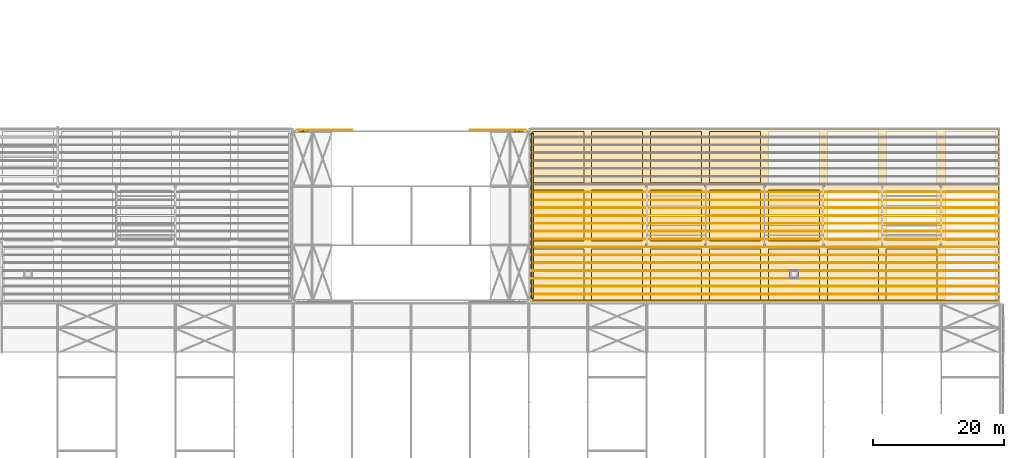
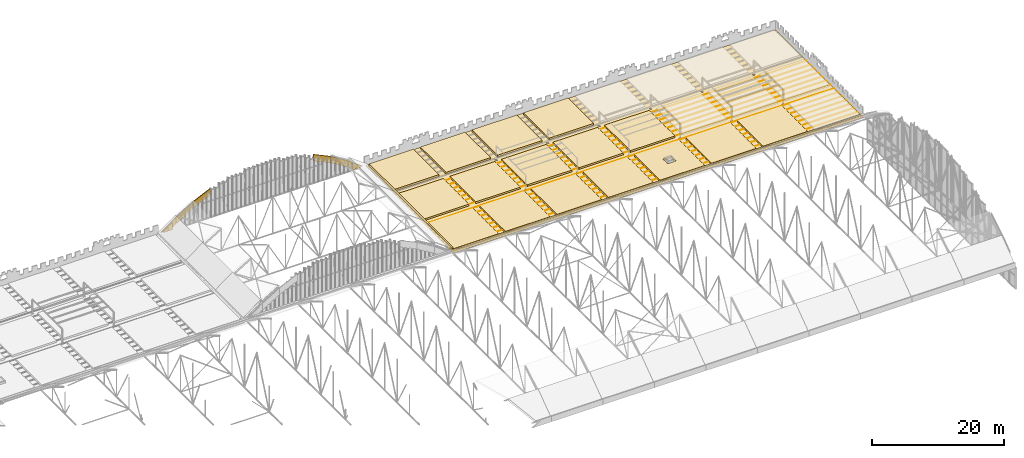
# One storey, part 146 of 153: 46 coverings.
"""IFC4 building model written with IfcOpenShell, lengths in metres."""

import ifcopenshell
import ifcopenshell.guid

model = None  # the IFC model being written
_history = None  # IfcOwnerHistory: only IFC2X3 demands one
_inside = {}  # id of a spatial element -> (the spatial element, [elements in it])
_under = {}  # id of a project, library or spatial element -> (it, [spatial elements below it])
_declared = {}  # id of a project -> (the project, [libraries it declares])
_typed = {}  # id of a type object -> (the type object, [elements of that type])
_made_of = {}  # id of a material, layer set ... -> (it, [elements and type objects made of it])


def new_model(schema):
    """Start an empty IFC model of exactly this schema.

    Asked for "IFC4X3", IfcOpenShell would pick the latest addendum, in which some entities
    have other attributes; the version numbers below select the first issue.
    IFC2X3 requires an IfcOwnerHistory on every rooted entity: one is made here for all.
    """
    global model, _history
    if schema == "IFC4X3":
        model = ifcopenshell.file(schema_version=(4, 3, 0, 0))
    else:
        model = ifcopenshell.file(schema=schema)
    _inside.clear()
    _under.clear()
    _declared.clear()
    _typed.clear()
    _made_of.clear()
    _history = None
    if model.schema == "IFC2X3":
        org = make("IfcOrganization", Name="unknown")
        user = make(
            "IfcPersonAndOrganization",
            ThePerson=make("IfcPerson", FamilyName="unknown"),
            TheOrganization=org,
        )
        app = make(
            "IfcApplication",
            ApplicationDeveloper=org,
            Version="unknown",
            ApplicationFullName="unknown",
            ApplicationIdentifier="unknown",
        )
        _history = make(
            "IfcOwnerHistory",
            OwningUser=user,
            OwningApplication=app,
            ChangeAction="ADDED",
            CreationDate=0,
        )
    return model


def make(cls, **values):
    """One entity of the class cls with the attributes given. An attribute that is None is left unset."""
    return model.create_entity(
        cls, **{name: value for name, value in values.items() if value is not None}
    )


def rooted(cls, **values):
    """An entity with a GlobalId (a new one), such as an element, a storey or a relation."""
    return make(cls, GlobalId=ifcopenshell.guid.new(), OwnerHistory=_history, **values)


def si_unit(unit_type, name, prefix=None):
    """IfcSIUnit, for example si_unit("LENGTHUNIT", "METRE", prefix="MILLI")."""
    return make("IfcSIUnit", UnitType=unit_type, Prefix=prefix, Name=name)


def assignment(units):
    """IfcUnitAssignment: the units of a project."""
    return None if units is None else make("IfcUnitAssignment", Units=units)


def point(xyz):
    """IfcCartesianPoint."""
    return None if xyz is None else make("IfcCartesianPoint", Coordinates=xyz)


def direction(xyz):
    """IfcDirection."""
    return None if xyz is None else make("IfcDirection", DirectionRatios=xyz)


def frame(location, z_axis=None, x_axis=None):
    """IfcAxis2Placement3D, a coordinate frame: its origin and axes. An axis left out is left unset."""
    return make(
        "IfcAxis2Placement3D",
        Location=point(location),
        Axis=direction(z_axis),
        RefDirection=direction(x_axis),
    )


def frame_2d(location, x_axis=None):
    """IfcAxis2Placement2D, a coordinate frame in the plane: its origin and x axis."""
    return make(
        "IfcAxis2Placement2D", Location=point(location), RefDirection=direction(x_axis)
    )


def origin():
    """The frame at (0, 0, 0) with its axes left unset."""
    return frame((0.0, 0.0, 0.0))


def origin_2d():
    """The frame at (0, 0) in the plane with its x axis left unset."""
    return frame_2d((0.0, 0.0))


def place(relative_to, where):
    """IfcLocalPlacement: puts the frame where relative to a parent placement (None: the world)."""
    return make(
        "IfcLocalPlacement", PlacementRelTo=relative_to, RelativePlacement=where
    )


def context(
    kind, dimensions, precision=None, world=None, true_north=None, identifier=None
):
    """IfcGeometricRepresentationContext, for example the 3D "Model" context."""
    return make(
        "IfcGeometricRepresentationContext",
        ContextIdentifier=identifier,
        ContextType=kind,
        CoordinateSpaceDimension=dimensions,
        Precision=precision,
        WorldCoordinateSystem=world,
        TrueNorth=true_north,
    )


def subcontext(parent, identifier, kind, view, scale=None):
    """IfcGeometricRepresentationSubContext, for example "Body" below "Model"."""
    return make(
        "IfcGeometricRepresentationSubContext",
        ContextIdentifier=identifier,
        ContextType=kind,
        ParentContext=parent,
        TargetScale=scale,
        TargetView=view,
    )


def project(units=None, contexts=None):
    """IfcProject with its units and contexts."""
    return rooted(
        "IfcProject",
        Name="project",
        RepresentationContexts=contexts,
        UnitsInContext=assignment(units),
    )


def spatial(cls, under=None, at=None, **own):
    """A site, building, storey or space (cls), placed at a placement, below another one or the project."""
    s = rooted(cls, ObjectPlacement=at, **own)
    if under is not None:
        _under.setdefault(under.id(), (under, []))[1].append(s)
    return s


def polyline(points):
    """IfcPolyline through the points."""
    return make("IfcPolyline", Points=[point(p) for p in points])


def profile(cls, at=None, kind="AREA", **sizes):
    """A parametric profile (cls). Its sizes go by their IFC names, for example OverallWidth=200.0."""
    return make(cls, ProfileType=kind, Position=at, **sizes)


def rectangle(**sizes):
    """IfcRectangleProfileDef."""
    return profile("IfcRectangleProfileDef", **sizes)


def outline(outer, holes=None, kind="AREA"):
    """IfcArbitraryClosedProfileDef: a profile drawn as a closed curve; with holes, ...WithVoids."""
    if holes is None:
        return make("IfcArbitraryClosedProfileDef", ProfileType=kind, OuterCurve=outer)
    return make(
        "IfcArbitraryProfileDefWithVoids",
        ProfileType=kind,
        OuterCurve=outer,
        InnerCurves=holes,
    )


def extrude(swept, where, along, depth):
    """IfcExtrudedAreaSolid: the profile swept, set in the frame where, extruded along a direction by depth."""
    return make(
        "IfcExtrudedAreaSolid",
        SweptArea=swept,
        Position=where,
        ExtrudedDirection=direction(along),
        Depth=depth,
    )


def shape(context_of_items, identifier, shape_type, items):
    """IfcShapeRepresentation: the items that make up one representation, for example the "Body"."""
    return make(
        "IfcShapeRepresentation",
        ContextOfItems=context_of_items,
        RepresentationIdentifier=identifier,
        RepresentationType=shape_type,
        Items=items,
    )


def material(Name=None, Category=None):
    """IfcMaterial."""
    return make("IfcMaterial", Name=Name, Category=Category)


def layer(
    of_material, thickness, ventilated=None, Name=None, Category=None, Priority=None
):
    """IfcMaterialLayer: one layer of a wall or slab, of a material (None: an air gap)."""
    return make(
        "IfcMaterialLayer",
        Material=of_material,
        LayerThickness=thickness,
        IsVentilated=ventilated,
        Name=Name,
        Category=Category,
        Priority=Priority,
    )


def layer_set(layers, Name=None):
    """IfcMaterialLayerSet."""
    return make("IfcMaterialLayerSet", MaterialLayers=layers, LayerSetName=Name)


def made_of(thing, what):
    """Note that an element or type object is made of a material, layer set ...; save() writes the relation."""
    if what is not None:
        _made_of.setdefault(what.id(), (what, []))[1].append(thing)
    return thing


def type_object(cls, material=None, **own):
    """A type object (cls), such as IfcWallType, which elements share."""
    return made_of(rooted(cls, **own), material)


def element(
    cls,
    number,
    at=None,
    inside=None,
    cuts=None,
    type_object=None,
    material=None,
    context=None,
    identifier="Body",
    shape_type=None,
    held_by="IfcProductDefinitionShape",
    body=None,
    shapes=None,
    **own,
):
    """One element of the class cls, such as IfcWall. Its Tag is "e" and its number.

    at: its placement. inside: the storey or other place that contains it. cuts: it is an
    opening in that element (IfcRelVoidsElement). A single representation is given by context,
    identifier, shape_type and body (its items); several are given by shapes. held_by: the class
    of the entity that holds the representations. save() writes the other relations.
    """
    e = rooted(cls, Tag="e%d" % number, ObjectPlacement=at, **own)
    if body is not None:
        shapes = [shape(context, identifier, shape_type, body)]
    if shapes is not None:
        e.Representation = make(held_by, Representations=shapes)
    if inside is not None:
        _inside.setdefault(inside.id(), (inside, []))[1].append(e)
    if cuts is not None:
        rooted(
            "IfcRelVoidsElement", RelatingBuildingElement=cuts, RelatedOpeningElement=e
        )
    if type_object is not None:
        _typed.setdefault(type_object.id(), (type_object, []))[1].append(e)
    return made_of(e, material)


def aggregate(whole, parts):
    """IfcRelAggregates: a whole, such as a stair, and the parts it consists of."""
    return rooted("IfcRelAggregates", RelatingObject=whole, RelatedObjects=parts)


def save(model, path):
    """Write the relations noted so far, then the file.

    IfcRelAggregates (storeys below a building ...), IfcRelContainedInSpatialStructure (elements
    in a storey), IfcRelDefinesByType, IfcRelAssociatesMaterial and IfcRelDeclares: one each for
    every whole, place, type object, material and project.
    """
    for whole, parts in _under.values():
        aggregate(whole, parts)
    for where, things in _inside.values():
        rooted(
            "IfcRelContainedInSpatialStructure",
            RelatedElements=things,
            RelatingStructure=where,
        )
    for kind, things in _typed.values():
        rooted("IfcRelDefinesByType", RelatedObjects=things, RelatingType=kind)
    for what, things in _made_of.values():
        rooted("IfcRelAssociatesMaterial", RelatedObjects=things, RelatingMaterial=what)
    for by, libraries in _declared.values():
        rooted("IfcRelDeclares", RelatingContext=by, RelatedDefinitions=libraries)
    model.write(path)


model = new_model("IFC4")

# Units and contexts
model_context = context("Model", 3, precision=1e-05, world=origin(), true_north=direction((0.0, 1.0)))
body_context = subcontext(model_context, "Body", "Model", "MODEL_VIEW")
ifc_project = project(units=[si_unit("LENGTHUNIT", "METRE"), si_unit("AREAUNIT", "SQUARE_METRE"), si_unit("VOLUMEUNIT", "CUBIC_METRE"), si_unit("PLANEANGLEUNIT", "RADIAN"), si_unit("MASSUNIT", "GRAM", prefix="KILO")], contexts=[model_context])

# Site, building, storey
site_placement = place(None, origin())
site = spatial("IfcSite", under=ifc_project, at=site_placement, CompositionType="ELEMENT")
building_placement = place(site_placement, origin())
building = spatial("IfcBuilding", under=site, at=building_placement, Name="Baradari Gate Terminus", CompositionType="ELEMENT")
storey_placement = place(building_placement, frame((0.0, 0.0, 11.699951171875)))
storey = spatial("IfcBuildingStorey", under=building, at=storey_placement, Name="L02", CompositionType="ELEMENT", Elevation=11.699951171875)

# Coverings
ifc_material_1 = material(Name="Galvanised steel", Category="steel")
ifc_layer_1 = layer(ifc_material_1, 0.0029296875)
ifc_layer_set_1 = layer_set([ifc_layer_1], Name="Galvanised steel")
covering_type_1 = type_object("IfcCoveringType", Name="Eaves gutter GT-1", PredefinedType="USERDEFINED", material=ifc_layer_set_1)
covering_1_placement = place(storey_placement, frame((171.518798828125, 94.47509765625, 0.080078125), z_axis=(0.0, 0.0, 1.0), x_axis=(1.0, 0.0, 0.0)))
element("IfcCovering", 1, at=covering_1_placement, inside=storey, type_object=covering_type_1, Name="Eaves gutter E", ObjectType="GUTTER", PredefinedType="USERDEFINED", context=body_context, shape_type="SweptSolid", body=[
    extrude(rectangle(XDim=0.300048828125, YDim=25.25, at=origin_2d()), origin(), (0.0, 0.0, 1.0), 0.27001953125),
])
covering_2_placement = place(storey_placement, frame((207.2841796875, 81.449951171875, 0.030029296875), z_axis=(0.0, 0.0, 1.0), x_axis=(1.0, 0.0, 0.0)))
element("IfcCovering", 2, at=covering_2_placement, inside=storey, type_object=covering_type_1, Name="Eaves gutter SE", ObjectType="GUTTER", PredefinedType="USERDEFINED", context=body_context, shape_type="SweptSolid", body=[
    extrude(rectangle(XDim=70.63134765625, YDim=0.25, at=origin_2d()), origin(), (0.0, 0.0, 1.0), 0.27001953125),
])
ifc_material_2 = material(Name="Sandstone", Category="masonry")
ifc_layer_2 = layer(ifc_material_2, 0.14990234375)
ifc_layer_set_2 = layer_set([ifc_layer_2], Name="Sandstone")
covering_type_2 = type_object("IfcCoveringType", Name="Hall gable arch band", PredefinedType="CLADDING", material=ifc_layer_set_2)
covering_3_placement = place(storey_placement, frame((135.0, 107.5625, 0.234619140625), z_axis=(0.0, 0.0, 1.0), x_axis=(1.0, 0.0, 0.0)))
element("IfcCovering", 3, at=covering_3_placement, inside=storey, type_object=covering_type_2, Name="Hall gable arch band N1", PredefinedType="CLADDING", context=body_context, shape_type="SweptSolid", body=[
    extrude(outline(polyline([(0.389892578125, 0.0), (2.017333984375, 0.0), (3.0, 0.724609375), (3.0, 1.924560546875), (0.389892578125, 0.0)])), frame((0.0, 0.074951171875, 0.0), z_axis=(0.0, -1.0, 0.0), x_axis=(1.0, 0.0, 0.0)), (0.0, 0.0, 1.0), 0.14990234375),
])
covering_4_placement = place(storey_placement, frame((138.0, 107.5625, 0.959228515625), z_axis=(0.0, 0.0, 1.0), x_axis=(1.0, 0.0, 0.0)))
element("IfcCovering", 4, at=covering_4_placement, inside=storey, type_object=covering_type_2, Name="Hall gable arch band N2", PredefinedType="CLADDING", context=body_context, shape_type="SweptSolid", body=[
    extrude(outline(polyline([(0.0, 1.199951171875), (0.0, 0.0), (3.0, 1.81005859375), (3.0, 3.010009765625), (0.0, 1.199951171875)])), frame((0.0, 0.074951171875, 0.0), z_axis=(0.0, -1.0, 0.0), x_axis=(1.0, 0.0, 0.0)), (0.0, 0.0, 1.0), 0.14990234375),
])
covering_5_placement = place(storey_placement, frame((141.0, 107.5625, 2.769287109375), z_axis=(0.0, 0.0, 1.0), x_axis=(1.0, 0.0, 0.0)))
element("IfcCovering", 5, at=covering_5_placement, inside=storey, type_object=covering_type_2, Name="Hall gable arch band N3", PredefinedType="CLADDING", context=body_context, shape_type="SweptSolid", body=[
    extrude(outline(polyline([(0.0, 1.199951171875), (0.0, 0.0), (3.0, 1.407958984375), (3.0, 2.60791015625), (0.0, 1.199951171875)])), frame((0.0, 0.074951171875, 0.0), z_axis=(0.0, -1.0, 0.0), x_axis=(1.0, 0.0, 0.0)), (0.0, 0.0, 1.0), 0.14990234375),
])
covering_6_placement = place(storey_placement, frame((162.0, 107.5625, 2.759033203125), z_axis=(0.0, 0.0, 1.0), x_axis=(1.0, 0.0, 0.0)))
element("IfcCovering", 6, at=covering_6_placement, inside=storey, type_object=covering_type_2, Name="Hall gable arch band N10", PredefinedType="CLADDING", context=body_context, shape_type="SweptSolid", body=[
    extrude(outline(polyline([(0.0, 2.610107421875), (0.0, 1.41015625), (3.0, 0.0), (3.0, 1.2001953125), (0.0, 2.610107421875)])), frame((0.0, 0.074951171875, 0.0), z_axis=(0.0, -1.0, 0.0), x_axis=(1.0, 0.0, 0.0)), (0.0, 0.0, 1.0), 0.14990234375),
])
covering_7_placement = place(storey_placement, frame((165.0, 107.5625, 0.947021484375), z_axis=(0.0, 0.0, 1.0), x_axis=(1.0, 0.0, 0.0)))
element("IfcCovering", 7, at=covering_7_placement, inside=storey, type_object=covering_type_2, Name="Hall gable arch band N11", PredefinedType="CLADDING", context=body_context, shape_type="SweptSolid", body=[
    extrude(outline(polyline([(0.0, 3.01220703125), (0.0, 1.81201171875), (3.0, 0.0), (3.0, 1.2001953125), (0.0, 3.01220703125)])), frame((0.0, 0.074951171875, 0.0), z_axis=(0.0, -1.0, 0.0), x_axis=(1.0, 0.0, 0.0)), (0.0, 0.0, 1.0), 0.14990234375),
])
covering_8_placement = place(storey_placement, frame((168.0, 107.5625, 0.234619140625), z_axis=(0.0, 0.0, 1.0), x_axis=(1.0, 0.0, 0.0)))
element("IfcCovering", 8, at=covering_8_placement, inside=storey, type_object=covering_type_2, Name="Hall gable arch band N12", PredefinedType="CLADDING", context=body_context, shape_type="SweptSolid", body=[
    extrude(outline(polyline([(0.9716796875, 0.0), (2.608154296875, 0.0), (0.0, 1.91259765625), (0.0, 0.71240234375), (0.9716796875, 0.0)])), frame((0.0, 0.074951171875, 0.0), z_axis=(0.0, -1.0, 0.0), x_axis=(1.0, 0.0, 0.0)), (0.0, 0.0, 1.0), 0.14990234375),
])
ifc_material_3 = material(Name="Sandstone", Category="masonry")
ifc_layer_3 = layer(ifc_material_3, 0.14990234375)
ifc_layer_set_3 = layer_set([ifc_layer_3], Name="Sandstone")
covering_type_3 = type_object("IfcCoveringType", Name="Hall gable spring infill", PredefinedType="CLADDING", material=ifc_layer_set_3)
covering_9_placement = place(storey_placement, frame((135.75, 107.39990234375, 0.234619140625), z_axis=(0.0, 0.0, 1.0), x_axis=(1.0, 0.0, 0.0)))
element("IfcCovering", 9, at=covering_9_placement, inside=storey, type_object=covering_type_3, Name="Hall gable spring infill N2", PredefinedType="CLADDING", context=body_context, shape_type="SweptSolid", body=[
    extrude(outline(polyline([(0.0, 0.0), (0.75, 0.0), (0.75, 0.786865234375), (0.0, 0.23681640625), (0.0, 0.0)])), frame((0.0, 0.074951171875, 0.0), z_axis=(0.0, -1.0, 0.0), x_axis=(1.0, 0.0, 0.0)), (0.0, 0.0, 1.0), 0.14990234375),
])
covering_10_placement = place(storey_placement, frame((136.5, 107.39990234375, 0.234619140625), z_axis=(0.0, 0.0, 1.0), x_axis=(1.0, 0.0, 0.0)))
element("IfcCovering", 10, at=covering_10_placement, inside=storey, type_object=covering_type_3, Name="Hall gable spring infill N3", PredefinedType="CLADDING", context=body_context, shape_type="SweptSolid", body=[
    extrude(outline(polyline([(0.0, 0.0), (0.75, 0.0), (0.75, 1.3369140625), (0.0, 0.786865234375), (0.0, 0.0)])), frame((0.0, 0.074951171875, 0.0), z_axis=(0.0, -1.0, 0.0), x_axis=(1.0, 0.0, 0.0)), (0.0, 0.0, 1.0), 0.14990234375),
])
covering_11_placement = place(storey_placement, frame((168.75, 107.39990234375, 0.234619140625), z_axis=(0.0, 0.0, 1.0), x_axis=(1.0, 0.0, 0.0)))
element("IfcCovering", 11, at=covering_11_placement, inside=storey, type_object=covering_type_3, Name="Hall gable spring infill N46", PredefinedType="CLADDING", context=body_context, shape_type="SweptSolid", body=[
    extrude(outline(polyline([(0.0, 0.0), (0.75, 0.0), (0.75, 0.786865234375), (0.0, 1.3369140625), (0.0, 0.0)])), frame((0.0, 0.074951171875, 0.0), z_axis=(0.0, -1.0, 0.0), x_axis=(1.0, 0.0, 0.0)), (0.0, 0.0, 1.0), 0.14990234375),
])
covering_12_placement = place(storey_placement, frame((169.5, 107.39990234375, 0.234619140625), z_axis=(0.0, 0.0, 1.0), x_axis=(1.0, 0.0, 0.0)))
element("IfcCovering", 12, at=covering_12_placement, inside=storey, type_object=covering_type_3, Name="Hall gable spring infill N47", PredefinedType="CLADDING", context=body_context, shape_type="SweptSolid", body=[
    extrude(outline(polyline([(0.0, 0.0), (0.75, 0.0), (0.75, 0.23681640625), (0.0, 0.786865234375), (0.0, 0.0)])), frame((0.0, 0.074951171875, 0.0), z_axis=(0.0, -1.0, 0.0), x_axis=(1.0, 0.0, 0.0)), (0.0, 0.0, 1.0), 0.14990234375),
])
ifc_material_4 = material(Name="Planted substrate")
ifc_layer_4 = layer(ifc_material_4, 0.35009765625)
ifc_layer_set_4 = layer_set([ifc_layer_4], Name="Planted substrate")
covering_type_4 = type_object("IfcCoveringType", Name="Planted roof bed GR-1 350", PredefinedType="USERDEFINED", material=ifc_layer_set_4)
covering_13_placement = place(storey_placement, origin())
element("IfcCovering", 13, at=covering_13_placement, inside=storey, type_object=covering_type_4, Name="RF/L02/GRE0101-1", ObjectType="PLANTED BED", PredefinedType="USERDEFINED", context=body_context, shape_type="SweptSolid", body=[
    extrude(outline(polyline([(179.39990234375, 81.60009765625), (171.60009765625, 81.60009765625), (171.60009765625, 89.39990234375), (179.39990234375, 89.39990234375), (179.39990234375, 81.60009765625)])), origin(), (0.0, 0.0, 1.0), 0.35009765625),
])
covering_14_placement = place(storey_placement, origin())
element("IfcCovering", 14, at=covering_14_placement, inside=storey, type_object=covering_type_4, Name="RF/L02/GRE0102-1", ObjectType="PLANTED BED", PredefinedType="USERDEFINED", context=body_context, shape_type="SweptSolid", body=[
    extrude(outline(polyline([(179.39990234375, 90.60009765625), (171.60009765625, 90.60009765625), (171.60009765625, 98.39990234375), (179.39990234375, 98.39990234375), (179.39990234375, 90.60009765625)])), origin(), (0.0, 0.0, 1.0), 0.35009765625),
])
covering_15_placement = place(storey_placement, origin())
element("IfcCovering", 15, at=covering_15_placement, inside=storey, type_object=covering_type_4, Name="RF/L02/GRE0103-1", ObjectType="PLANTED BED", PredefinedType="USERDEFINED", context=body_context, shape_type="SweptSolid", body=[
    extrude(outline(polyline([(179.39990234375, 99.60009765625), (171.60009765625, 99.60009765625), (171.60009765625, 107.353515625), (179.39990234375, 107.353515625), (179.39990234375, 99.60009765625)])), origin(), (0.0, 0.0, 1.0), 0.35009765625),
])
covering_16_placement = place(storey_placement, origin())
element("IfcCovering", 16, at=covering_16_placement, inside=storey, type_object=covering_type_4, Name="RF/L02/GRE0201-1", ObjectType="PLANTED BED", PredefinedType="USERDEFINED", context=body_context, shape_type="SweptSolid", body=[
    extrude(outline(polyline([(180.60009765625, 89.39990234375), (188.39990234375, 89.39990234375), (188.39990234375, 81.60009765625), (180.60009765625, 81.60009765625), (180.60009765625, 89.39990234375)])), origin(), (0.0, 0.0, 1.0), 0.35009765625),
])
covering_17_placement = place(storey_placement, origin())
element("IfcCovering", 17, at=covering_17_placement, inside=storey, type_object=covering_type_4, Name="RF/L02/GRE0202-1", ObjectType="PLANTED BED", PredefinedType="USERDEFINED", context=body_context, shape_type="SweptSolid", body=[
    extrude(outline(polyline([(180.60009765625, 98.39990234375), (188.39990234375, 98.39990234375), (188.39990234375, 90.60009765625), (180.60009765625, 90.60009765625), (180.60009765625, 98.39990234375)])), origin(), (0.0, 0.0, 1.0), 0.35009765625),
])
covering_18_placement = place(storey_placement, origin())
element("IfcCovering", 18, at=covering_18_placement, inside=storey, type_object=covering_type_4, Name="RF/L02/GRE0203-1", ObjectType="PLANTED BED", PredefinedType="USERDEFINED", context=body_context, shape_type="SweptSolid", body=[
    extrude(outline(polyline([(180.60009765625, 107.353515625), (188.39990234375, 107.353515625), (188.39990234375, 99.60009765625), (180.60009765625, 99.60009765625), (180.60009765625, 107.353515625)])), origin(), (0.0, 0.0, 1.0), 0.35009765625),
])
covering_19_placement = place(storey_placement, origin())
element("IfcCovering", 19, at=covering_19_placement, inside=storey, type_object=covering_type_4, Name="RF/L02/GRE0301-1", ObjectType="PLANTED BED", PredefinedType="USERDEFINED", context=body_context, shape_type="SweptSolid", body=[
    extrude(outline(polyline([(189.60009765625, 89.39990234375), (197.39990234375, 89.39990234375), (197.39990234375, 81.60009765625), (189.60009765625, 81.60009765625), (189.60009765625, 89.39990234375)])), origin(), (0.0, 0.0, 1.0), 0.35009765625),
])
covering_20_placement = place(storey_placement, origin())
element("IfcCovering", 20, at=covering_20_placement, inside=storey, type_object=covering_type_4, Name="RF/L02/GRE0302-1", ObjectType="PLANTED BED", PredefinedType="USERDEFINED", context=body_context, shape_type="SweptSolid", body=[
    extrude(outline(polyline([(189.60009765625, 98.39990234375), (197.39990234375, 98.39990234375), (197.39990234375, 90.60009765625), (189.60009765625, 90.60009765625), (189.60009765625, 98.39990234375)])), origin(), (0.0, 0.0, 1.0), 0.35009765625),
])
covering_21_placement = place(storey_placement, origin())
element("IfcCovering", 21, at=covering_21_placement, inside=storey, type_object=covering_type_4, Name="RF/L02/GRE0303-1", ObjectType="PLANTED BED", PredefinedType="USERDEFINED", context=body_context, shape_type="SweptSolid", body=[
    extrude(outline(polyline([(189.60009765625, 107.353515625), (197.39990234375, 107.353515625), (197.39990234375, 99.60009765625), (189.60009765625, 99.60009765625), (189.60009765625, 107.353515625)])), origin(), (0.0, 0.0, 1.0), 0.35009765625),
])
covering_22_placement = place(storey_placement, origin())
element("IfcCovering", 22, at=covering_22_placement, inside=storey, type_object=covering_type_4, Name="RF/L02/GRE0401-1", ObjectType="PLANTED BED", PredefinedType="USERDEFINED", context=body_context, shape_type="SweptSolid", body=[
    extrude(outline(polyline([(198.60009765625, 89.39990234375), (206.39990234375, 89.39990234375), (206.39990234375, 81.60009765625), (198.60009765625, 81.60009765625), (198.60009765625, 89.39990234375)])), origin(), (0.0, 0.0, 1.0), 0.35009765625),
])
covering_23_placement = place(storey_placement, origin())
element("IfcCovering", 23, at=covering_23_placement, inside=storey, type_object=covering_type_4, Name="RF/L02/GRE0402-1", ObjectType="PLANTED BED", PredefinedType="USERDEFINED", context=body_context, shape_type="SweptSolid", body=[
    extrude(outline(polyline([(198.60009765625, 98.39990234375), (206.39990234375, 98.39990234375), (206.39990234375, 90.60009765625), (198.60009765625, 90.60009765625), (198.60009765625, 98.39990234375)])), origin(), (0.0, 0.0, 1.0), 0.35009765625),
])
covering_24_placement = place(storey_placement, origin())
element("IfcCovering", 24, at=covering_24_placement, inside=storey, type_object=covering_type_4, Name="RF/L02/GRE0403-1", ObjectType="PLANTED BED", PredefinedType="USERDEFINED", context=body_context, shape_type="SweptSolid", body=[
    extrude(outline(polyline([(198.60009765625, 107.353515625), (206.39990234375, 107.353515625), (206.39990234375, 99.60009765625), (198.60009765625, 99.60009765625), (198.60009765625, 107.353515625)])), origin(), (0.0, 0.0, 1.0), 0.35009765625),
])
covering_25_placement = place(storey_placement, origin())
element("IfcCovering", 25, at=covering_25_placement, inside=storey, type_object=covering_type_4, Name="RF/L02/GRE0501-1", ObjectType="PLANTED BED", PredefinedType="USERDEFINED", context=body_context, shape_type="SweptSolid", body=[
    extrude(outline(polyline([(207.60009765625, 89.39990234375), (215.39990234375, 89.39990234375), (215.39990234375, 81.60009765625), (207.60009765625, 81.60009765625), (207.60009765625, 89.39990234375)]), holes=[polyline([(212.2373046875, 84.9833984375), (212.231201171875, 84.99169921875), (212.224365234375, 84.999267578125), (212.216552734375, 85.006103515625), (212.20849609375, 85.01220703125), (212.199462890625, 85.017578125), (212.190185546875, 85.02197265625), (212.180419921875, 85.025390625), (212.179931640625, 85.025634765625), (212.179931640625, 85.974365234375), (212.180419921875, 85.974609375), (212.190185546875, 85.97802734375), (212.199462890625, 85.982421875), (212.20849609375, 85.98779296875), (212.216552734375, 85.993896484375), (212.224365234375, 86.000732421875), (212.231201171875, 86.00830078125), (212.2373046875, 86.0166015625), (212.24267578125, 86.025390625), (212.2470703125, 86.034912109375), (212.25048828125, 86.04443359375), (212.2529296875, 86.054443359375), (212.25439453125, 86.064697265625), (212.2548828125, 86.074951171875), (212.25439453125, 86.085205078125), (212.2529296875, 86.095458984375), (212.25048828125, 86.10546875), (212.2470703125, 86.115234375), (212.24267578125, 86.12451171875), (212.2373046875, 86.13330078125), (212.231201171875, 86.1416015625), (212.224365234375, 86.1494140625), (212.216552734375, 86.15625), (212.20849609375, 86.162353515625), (212.199462890625, 86.16748046875), (212.190185546875, 86.172119140625), (212.180419921875, 86.175537109375), (212.17041015625, 86.177978515625), (212.160400390625, 86.179443359375), (212.150634765625, 86.179931640625), (210.849365234375, 86.179931640625), (210.839599609375, 86.179443359375), (210.82958984375, 86.177978515625), (210.819580078125, 86.175537109375), (210.809814453125, 86.172119140625), (210.800537109375, 86.16748046875), (210.79150390625, 86.162353515625), (210.783447265625, 86.15625), (210.775634765625, 86.1494140625), (210.768798828125, 86.1416015625), (210.7626953125, 86.13330078125), (210.75732421875, 86.12451171875), (210.7529296875, 86.115234375), (210.74951171875, 86.10546875), (210.7470703125, 86.095458984375), (210.74560546875, 86.085205078125), (210.7451171875, 86.074951171875), (210.74560546875, 86.064697265625), (210.7470703125, 86.054443359375), (210.74951171875, 86.04443359375), (210.7529296875, 86.034912109375), (210.75732421875, 86.025390625), (210.7626953125, 86.0166015625), (210.768798828125, 86.00830078125), (210.775634765625, 86.000732421875), (210.783447265625, 85.993896484375), (210.79150390625, 85.98779296875), (210.800537109375, 85.982421875), (210.809814453125, 85.97802734375), (210.819580078125, 85.974609375), (210.820068359375, 85.974365234375), (210.820068359375, 85.025634765625), (210.819580078125, 85.025390625), (210.809814453125, 85.02197265625), (210.800537109375, 85.017578125), (210.79150390625, 85.01220703125), (210.783447265625, 85.006103515625), (210.775634765625, 84.999267578125), (210.768798828125, 84.99169921875), (210.7626953125, 84.9833984375), (210.75732421875, 84.974609375), (210.7529296875, 84.965087890625), (210.74951171875, 84.95556640625), (210.7470703125, 84.945556640625), (210.74560546875, 84.935302734375), (210.7451171875, 84.925048828125), (210.74560546875, 84.914794921875), (210.7470703125, 84.904541015625), (210.74951171875, 84.89453125), (210.7529296875, 84.884765625), (210.75732421875, 84.87548828125), (210.7626953125, 84.86669921875), (210.768798828125, 84.8583984375), (210.775634765625, 84.8505859375), (210.783447265625, 84.84375), (210.79150390625, 84.837646484375), (210.800537109375, 84.83251953125), (210.809814453125, 84.827880859375), (210.819580078125, 84.824462890625), (210.82958984375, 84.822021484375), (210.839599609375, 84.820556640625), (210.849365234375, 84.820068359375), (212.150634765625, 84.820068359375), (212.160400390625, 84.820556640625), (212.17041015625, 84.822021484375), (212.180419921875, 84.824462890625), (212.190185546875, 84.827880859375), (212.199462890625, 84.83251953125), (212.20849609375, 84.837646484375), (212.216552734375, 84.84375), (212.224365234375, 84.8505859375), (212.231201171875, 84.8583984375), (212.2373046875, 84.86669921875), (212.24267578125, 84.87548828125), (212.2470703125, 84.884765625), (212.25048828125, 84.89453125), (212.2529296875, 84.904541015625), (212.25439453125, 84.914794921875), (212.2548828125, 84.925048828125), (212.25439453125, 84.935302734375), (212.2529296875, 84.945556640625), (212.25048828125, 84.95556640625), (212.2470703125, 84.965087890625), (212.24267578125, 84.974609375), (212.2373046875, 84.9833984375)])]), origin(), (0.0, 0.0, 1.0), 0.35009765625),
])
covering_26_placement = place(storey_placement, origin())
element("IfcCovering", 26, at=covering_26_placement, inside=storey, type_object=covering_type_4, Name="RF/L02/GRE0502-1", ObjectType="PLANTED BED", PredefinedType="USERDEFINED", context=body_context, shape_type="SweptSolid", body=[
    extrude(outline(polyline([(207.60009765625, 98.39990234375), (215.39990234375, 98.39990234375), (215.39990234375, 90.60009765625), (207.60009765625, 90.60009765625), (207.60009765625, 98.39990234375)])), origin(), (0.0, 0.0, 1.0), 0.35009765625),
])
covering_27_placement = place(storey_placement, origin())
element("IfcCovering", 27, at=covering_27_placement, inside=storey, type_object=covering_type_4, Name="RF/L02/GRE0601-1", ObjectType="PLANTED BED", PredefinedType="USERDEFINED", context=body_context, shape_type="SweptSolid", body=[
    extrude(outline(polyline([(216.60009765625, 89.39990234375), (224.39990234375, 89.39990234375), (224.39990234375, 81.60009765625), (216.60009765625, 81.60009765625), (216.60009765625, 89.39990234375)])), origin(), (0.0, 0.0, 1.0), 0.35009765625),
])
covering_28_placement = place(storey_placement, origin())
element("IfcCovering", 28, at=covering_28_placement, inside=storey, type_object=covering_type_4, Name="RF/L02/GRE0701-1", ObjectType="PLANTED BED", PredefinedType="USERDEFINED", context=body_context, shape_type="SweptSolid", body=[
    extrude(outline(polyline([(225.60009765625, 89.39990234375), (233.39990234375, 89.39990234375), (233.39990234375, 81.60009765625), (225.60009765625, 81.60009765625), (225.60009765625, 89.39990234375)])), origin(), (0.0, 0.0, 1.0), 0.35009765625),
])
ifc_material_5 = material(Name="Terracotta paving", Category="masonry")
ifc_layer_5 = layer(ifc_material_5, 0.030029296875)
ifc_layer_set_5 = layer_set([ifc_layer_5], Name="Terracotta paving")
covering_type_5 = type_object("IfcCoveringType", Name="Terracotta paving RP-1 30", PredefinedType="FLOORING", material=ifc_layer_set_5)
covering_29_placement = place(storey_placement, origin())
element("IfcCovering", 29, at=covering_29_placement, inside=storey, type_object=covering_type_5, Name="Terracotta paving RP-1 head-roof-east", PredefinedType="FLOORING", context=body_context, shape_type="SweptSolid", body=[
    extrude(outline(polyline([(242.77490234375, 81.0), (171.199951171875, 81.0), (171.199951171875, 107.653564453125), (242.77490234375, 107.653564453125), (242.77490234375, 81.0)]), holes=[polyline([(233.85009765625, 90.14990234375), (233.85009765625, 89.85009765625), (234.14990234375, 89.85009765625), (234.14990234375, 90.14990234375), (233.85009765625, 90.14990234375)]), polyline([(233.85009765625, 99.14990234375), (233.85009765625, 98.85009765625), (234.14990234375, 98.85009765625), (234.14990234375, 99.14990234375), (233.85009765625, 99.14990234375)]), polyline([(224.85009765625, 89.85009765625), (225.14990234375, 89.85009765625), (225.14990234375, 90.14990234375), (224.85009765625, 90.14990234375), (224.85009765625, 89.85009765625)]), polyline([(224.85009765625, 99.14990234375), (224.85009765625, 98.85009765625), (225.14990234375, 98.85009765625), (225.14990234375, 99.14990234375), (224.85009765625, 99.14990234375)]), polyline([(215.85009765625, 89.85009765625), (216.14990234375, 89.85009765625), (216.14990234375, 90.14990234375), (215.85009765625, 90.14990234375), (215.85009765625, 89.85009765625)]), polyline([(215.85009765625, 99.14990234375), (215.85009765625, 98.85009765625), (216.14990234375, 98.85009765625), (216.14990234375, 99.14990234375), (215.85009765625, 99.14990234375)]), polyline([(210.85009765625, 85.0), (210.85009765625, 84.85009765625), (212.14990234375, 84.85009765625), (212.14990234375, 85.0), (212.14990234375, 85.85009765625), (212.14990234375, 86.14990234375), (210.85009765625, 86.14990234375), (210.85009765625, 86.0), (210.85009765625, 85.0), (210.85009765625, 85.0)]), polyline([(206.85009765625, 90.14990234375), (206.85009765625, 89.85009765625), (207.14990234375, 89.85009765625), (207.14990234375, 90.14990234375), (206.85009765625, 90.14990234375)]), polyline([(206.85009765625, 98.85009765625), (207.14990234375, 98.85009765625), (207.14990234375, 99.14990234375), (206.85009765625, 99.14990234375), (206.85009765625, 98.85009765625)]), polyline([(197.85009765625, 90.14990234375), (197.85009765625, 89.85009765625), (198.14990234375, 89.85009765625), (198.14990234375, 90.14990234375), (197.85009765625, 90.14990234375)]), polyline([(197.85009765625, 98.85009765625), (198.14990234375, 98.85009765625), (198.14990234375, 99.14990234375), (197.85009765625, 99.14990234375), (197.85009765625, 98.85009765625)]), polyline([(188.85009765625, 90.14990234375), (188.85009765625, 89.85009765625), (189.14990234375, 89.85009765625), (189.14990234375, 90.14990234375), (188.85009765625, 90.14990234375)]), polyline([(188.85009765625, 99.14990234375), (188.85009765625, 98.85009765625), (189.14990234375, 98.85009765625), (189.14990234375, 99.14990234375), (188.85009765625, 99.14990234375)])]), origin(), (0.0, 0.0, 1.0), 0.030029296875),
])
ifc_material_6 = material(Name="Terracotta paving", Category="masonry")
ifc_layer_6 = layer(ifc_material_6, 0.050048828125)
ifc_layer_set_6 = layer_set([ifc_layer_6], Name="Terracotta paving")
covering_type_6 = type_object("IfcCoveringType", Name="Terracotta tile course RP-2 50", PredefinedType="FLOORING", material=ifc_layer_set_6)
covering_30_placement = place(storey_placement, frame((0.0, 0.0, 0.030029296875)))
element("IfcCovering", 30, at=covering_30_placement, inside=storey, type_object=covering_type_6, Name="Terracotta tile course RP-2 head-roof-east", PredefinedType="FLOORING", context=body_context, shape_type="SweptSolid", body=[
    extrude(outline(polyline([(242.625, 81.239990234375), (242.625, 81.360107421875), (171.35009765625, 81.360107421875), (171.35009765625, 81.239990234375), (242.625, 81.239990234375)])), origin(), (0.0, 0.0, 1.0), 0.050048828125),
])
covering_31_placement = place(storey_placement, frame((0.0, 0.0, 0.030029296875)))
element("IfcCovering", 31, at=covering_31_placement, inside=storey, type_object=covering_type_6, Name="Terracotta tile course RP-2 head-roof-east", PredefinedType="FLOORING", context=body_context, shape_type="SweptSolid", body=[
    extrude(outline(polyline([(242.625, 82.43994140625), (242.625, 82.56005859375), (171.35009765625, 82.56005859375), (171.35009765625, 82.43994140625), (242.625, 82.43994140625)])), origin(), (0.0, 0.0, 1.0), 0.050048828125),
])
covering_32_placement = place(storey_placement, frame((0.0, 0.0, 0.030029296875)))
element("IfcCovering", 32, at=covering_32_placement, inside=storey, type_object=covering_type_6, Name="Terracotta tile course RP-2 head-roof-east", PredefinedType="FLOORING", context=body_context, shape_type="SweptSolid", body=[
    extrude(outline(polyline([(242.625, 83.639892578125), (242.625, 83.760009765625), (171.35009765625, 83.760009765625), (171.35009765625, 83.639892578125), (242.625, 83.639892578125)])), origin(), (0.0, 0.0, 1.0), 0.050048828125),
])
covering_33_placement = place(storey_placement, frame((0.0, 0.0, 0.030029296875)))
element("IfcCovering", 33, at=covering_33_placement, inside=storey, type_object=covering_type_6, Name="Terracotta tile course RP-2 head-roof-east", PredefinedType="FLOORING", context=body_context, shape_type="SweptSolid", body=[
    extrude(outline(polyline([(210.700439453125, 84.840087890625), (210.700439453125, 84.9599609375), (171.35009765625, 84.9599609375), (171.35009765625, 84.840087890625), (210.700439453125, 84.840087890625)])), origin(), (0.0, 0.0, 1.0), 0.050048828125),
])
covering_34_placement = place(storey_placement, frame((0.0, 0.0, 0.030029296875)))
element("IfcCovering", 34, at=covering_34_placement, inside=storey, type_object=covering_type_6, Name="Terracotta tile course RP-2 head-roof-east", PredefinedType="FLOORING", context=body_context, shape_type="SweptSolid", body=[
    extrude(outline(polyline([(242.625, 84.840087890625), (242.625, 84.9599609375), (212.299560546875, 84.9599609375), (212.299560546875, 84.840087890625), (242.625, 84.840087890625)])), origin(), (0.0, 0.0, 1.0), 0.050048828125),
])
covering_35_placement = place(storey_placement, frame((0.0, 0.0, 0.030029296875)))
element("IfcCovering", 35, at=covering_35_placement, inside=storey, type_object=covering_type_6, Name="Terracotta tile course RP-2 head-roof-east", PredefinedType="FLOORING", context=body_context, shape_type="SweptSolid", body=[
    extrude(outline(polyline([(210.700439453125, 86.0400390625), (210.700439453125, 86.159912109375), (171.35009765625, 86.159912109375), (171.35009765625, 86.0400390625), (210.700439453125, 86.0400390625)])), origin(), (0.0, 0.0, 1.0), 0.050048828125),
])
covering_36_placement = place(storey_placement, frame((0.0, 0.0, 0.030029296875)))
element("IfcCovering", 36, at=covering_36_placement, inside=storey, type_object=covering_type_6, Name="Terracotta tile course RP-2 head-roof-east", PredefinedType="FLOORING", context=body_context, shape_type="SweptSolid", body=[
    extrude(outline(polyline([(242.625, 86.0400390625), (242.625, 86.159912109375), (212.299560546875, 86.159912109375), (212.299560546875, 86.0400390625), (242.625, 86.0400390625)])), origin(), (0.0, 0.0, 1.0), 0.050048828125),
])
covering_37_placement = place(storey_placement, frame((0.0, 0.0, 0.030029296875)))
element("IfcCovering", 37, at=covering_37_placement, inside=storey, type_object=covering_type_6, Name="Terracotta tile course RP-2 head-roof-east", PredefinedType="FLOORING", context=body_context, shape_type="SweptSolid", body=[
    extrude(outline(polyline([(242.625, 87.239990234375), (242.625, 87.360107421875), (171.35009765625, 87.360107421875), (171.35009765625, 87.239990234375), (242.625, 87.239990234375)])), origin(), (0.0, 0.0, 1.0), 0.050048828125),
])
covering_38_placement = place(storey_placement, frame((0.0, 0.0, 0.030029296875)))
element("IfcCovering", 38, at=covering_38_placement, inside=storey, type_object=covering_type_6, Name="Terracotta tile course RP-2 head-roof-east", PredefinedType="FLOORING", context=body_context, shape_type="SweptSolid", body=[
    extrude(outline(polyline([(242.625, 88.43994140625), (242.625, 88.56005859375), (171.35009765625, 88.56005859375), (171.35009765625, 88.43994140625), (242.625, 88.43994140625)])), origin(), (0.0, 0.0, 1.0), 0.050048828125),
])
covering_39_placement = place(storey_placement, frame((0.0, 0.0, 0.030029296875)))
element("IfcCovering", 39, at=covering_39_placement, inside=storey, type_object=covering_type_6, Name="Terracotta tile course RP-2 head-roof-east", PredefinedType="FLOORING", context=body_context, shape_type="SweptSolid", body=[
    extrude(outline(polyline([(242.625, 89.639892578125), (242.625, 89.760009765625), (171.35009765625, 89.760009765625), (171.35009765625, 89.639892578125), (242.625, 89.639892578125)])), origin(), (0.0, 0.0, 1.0), 0.050048828125),
])
covering_40_placement = place(storey_placement, frame((0.0, 0.0, 0.030029296875)))
element("IfcCovering", 40, at=covering_40_placement, inside=storey, type_object=covering_type_6, Name="Terracotta tile course RP-2 head-roof-east", PredefinedType="FLOORING", context=body_context, shape_type="SweptSolid", body=[
    extrude(outline(polyline([(242.625, 90.840087890625), (242.625, 90.9599609375), (171.35009765625, 90.9599609375), (171.35009765625, 90.840087890625), (242.625, 90.840087890625)])), origin(), (0.0, 0.0, 1.0), 0.050048828125),
])
covering_41_placement = place(storey_placement, frame((0.0, 0.0, 0.030029296875)))
element("IfcCovering", 41, at=covering_41_placement, inside=storey, type_object=covering_type_6, Name="Terracotta tile course RP-2 head-roof-east", PredefinedType="FLOORING", context=body_context, shape_type="SweptSolid", body=[
    extrude(outline(polyline([(242.625, 92.0400390625), (242.625, 92.159912109375), (171.35009765625, 92.159912109375), (171.35009765625, 92.0400390625), (242.625, 92.0400390625)])), origin(), (0.0, 0.0, 1.0), 0.050048828125),
])
covering_42_placement = place(storey_placement, frame((0.0, 0.0, 0.030029296875)))
element("IfcCovering", 42, at=covering_42_placement, inside=storey, type_object=covering_type_6, Name="Terracotta tile course RP-2 head-roof-east", PredefinedType="FLOORING", context=body_context, shape_type="SweptSolid", body=[
    extrude(outline(polyline([(242.625, 93.239990234375), (242.625, 93.360107421875), (171.35009765625, 93.360107421875), (171.35009765625, 93.239990234375), (242.625, 93.239990234375)])), origin(), (0.0, 0.0, 1.0), 0.050048828125),
])
covering_43_placement = place(storey_placement, frame((0.0, 0.0, 0.030029296875)))
element("IfcCovering", 43, at=covering_43_placement, inside=storey, type_object=covering_type_6, Name="Terracotta tile course RP-2 head-roof-east", PredefinedType="FLOORING", context=body_context, shape_type="SweptSolid", body=[
    extrude(outline(polyline([(242.625, 94.43994140625), (242.625, 94.56005859375), (171.35009765625, 94.56005859375), (171.35009765625, 94.43994140625), (242.625, 94.43994140625)])), origin(), (0.0, 0.0, 1.0), 0.050048828125),
])
covering_44_placement = place(storey_placement, frame((0.0, 0.0, 0.030029296875)))
element("IfcCovering", 44, at=covering_44_placement, inside=storey, type_object=covering_type_6, Name="Terracotta tile course RP-2 head-roof-east", PredefinedType="FLOORING", context=body_context, shape_type="SweptSolid", body=[
    extrude(outline(polyline([(242.625, 95.639892578125), (242.625, 95.760009765625), (171.35009765625, 95.760009765625), (171.35009765625, 95.639892578125), (242.625, 95.639892578125)])), origin(), (0.0, 0.0, 1.0), 0.050048828125),
])
covering_45_placement = place(storey_placement, frame((0.0, 0.0, 0.030029296875)))
element("IfcCovering", 45, at=covering_45_placement, inside=storey, type_object=covering_type_6, Name="Terracotta tile course RP-2 head-roof-east", PredefinedType="FLOORING", context=body_context, shape_type="SweptSolid", body=[
    extrude(outline(polyline([(242.625, 96.840087890625), (242.625, 96.9599609375), (171.35009765625, 96.9599609375), (171.35009765625, 96.840087890625), (242.625, 96.840087890625)])), origin(), (0.0, 0.0, 1.0), 0.050048828125),
])
covering_46_placement = place(storey_placement, frame((0.0, 0.0, 0.030029296875)))
element("IfcCovering", 46, at=covering_46_placement, inside=storey, type_object=covering_type_6, Name="Terracotta tile course RP-2 head-roof-east", PredefinedType="FLOORING", context=body_context, shape_type="SweptSolid", body=[
    extrude(outline(polyline([(242.625, 98.0400390625), (242.625, 98.159912109375), (171.35009765625, 98.159912109375), (171.35009765625, 98.0400390625), (242.625, 98.0400390625)])), origin(), (0.0, 0.0, 1.0), 0.050048828125),
])

save(model, "model.ifc")
